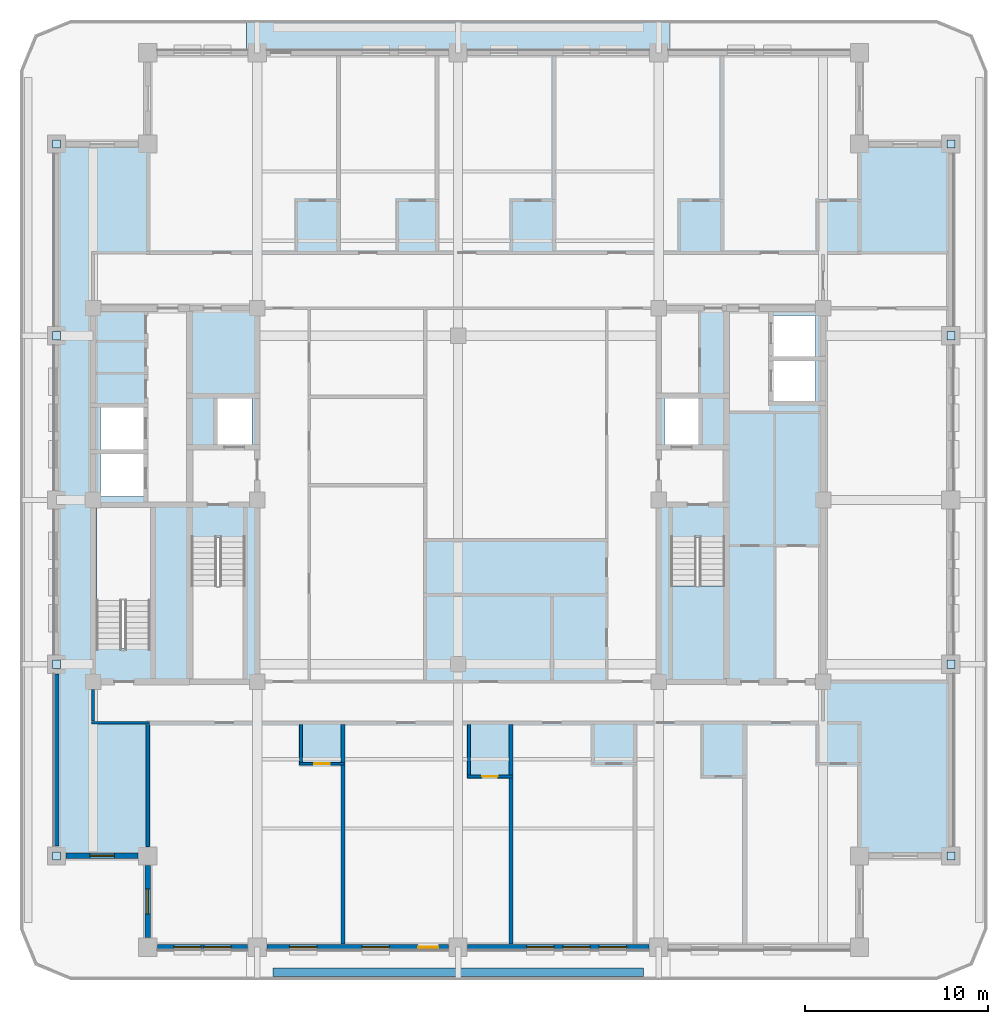
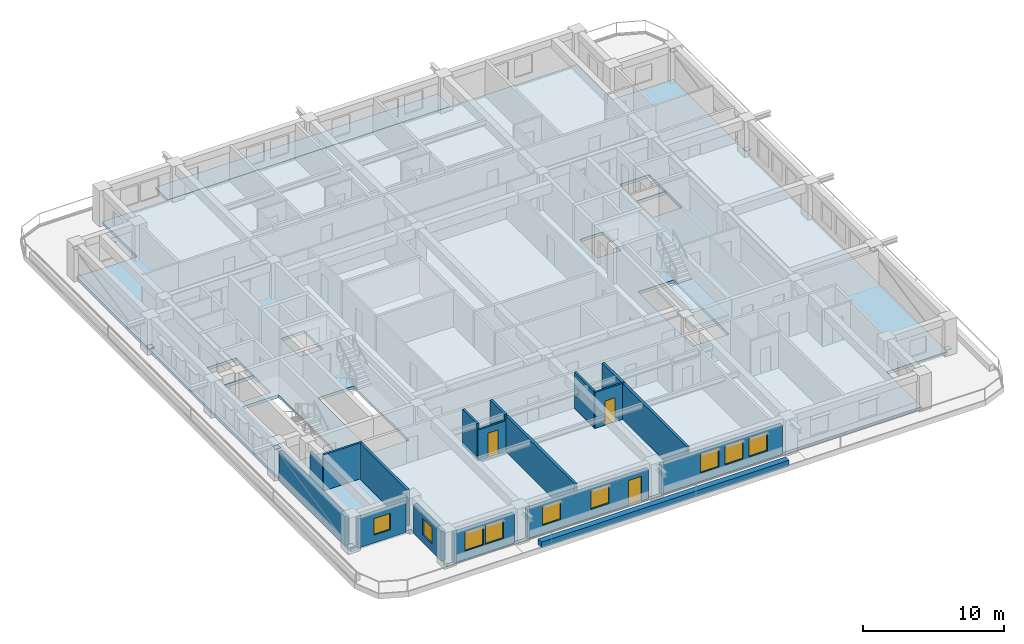
# One storey, part 2 of 15: 18 walls, 9 windows, 8 plates, 3 doors, 3 slabs, 12 openings, 1 element without a shape of its own.
"""IFC4 building model written with IfcOpenShell, lengths in metres."""

from ifc_helpers import new_model, si_unit, direction, frame, frame_2d, origin, origin_2d, place, context, subcontext, project, spatial, polyline, rectangle, outline, extrude, material, layer, layer_set, type_object, element, fill, aggregate, save


model = new_model("IFC4")

# Units and contexts
model_context = context("Model", 3, precision=1e-05, world=origin(), true_north=direction((0.0, 1.0)))
body_context = subcontext(model_context, "Body", "Model", "MODEL_VIEW")
ifc_project = project(units=[si_unit("LENGTHUNIT", "METRE"), si_unit("AREAUNIT", "SQUARE_METRE"), si_unit("VOLUMEUNIT", "CUBIC_METRE"), si_unit("PLANEANGLEUNIT", "RADIAN"), si_unit("MASSUNIT", "GRAM", prefix="KILO")], contexts=[model_context])

# Site, building, storey
site_placement = place(None, origin())
site = spatial("IfcSite", under=ifc_project, at=site_placement, CompositionType="ELEMENT")
building_placement = place(site_placement, origin())
building = spatial("IfcBuilding", under=site, at=building_placement, Name="Zulmaris Gate Convention Tower", CompositionType="ELEMENT")
storey_placement = place(building_placement, frame((0.0, 0.0, 172.85986328125)))
storey = spatial("IfcBuildingStorey", under=building, at=storey_placement, Name="L44", CompositionType="ELEMENT", Elevation=172.85986328125)

# Plates
ifc_material_1 = material(Name="Steel S460", Category="steel")
ifc_layer_1 = layer(ifc_material_1, 0.02490234375, Name="Steel S460")
ifc_layer_set_1 = layer_set([ifc_layer_1], Name="Steel S460")
plate_type = type_object("IfcPlateType", Name="NP-CAP-440", PredefinedType="USERDEFINED", material=ifc_layer_set_1)
for number, where, z_axis, x_axis, name in (
    (1, (-22.0, -19.5, 0.28759765625), (0.0, 0.0, 1.0), (1.0, 0.0, 0.0), "L44 Steel Node Plate PBR-L44-SW-W-CAP"),
    (2, (-22.0, -9.0, 2.492431640625), (0.0, 0.0, 1.0), (1.0, 0.0, 0.0), "L44 Steel Node Plate PBR-L44-SW-W-CAPB"),
    (3, (-22.0, 9.0, 0.28759765625), (0.0, 0.0, 1.0), (1.0, 0.0, 0.0), "L44 Steel Node Plate PBR-L44-NW-W-CAP"),
    (4, (-22.0, 19.5, 2.492431640625), (0.0, 0.0, 1.0), (1.0, 0.0, 0.0), "L44 Steel Node Plate PBR-L44-NW-W-CAPB"),
    (5, (27.0, -19.5, 0.28759765625), (0.0, 0.0, 1.0), (1.0, 0.0, 0.0), "L44 Steel Node Plate PBR-L44-SE-E-CAP"),
    (6, (27.0, -9.0, 2.492431640625), (0.0, 0.0, 1.0), (1.0, 0.0, 0.0), "L44 Steel Node Plate PBR-L44-SE-E-CAPB"),
    (7, (27.0, 9.0, 0.28759765625), (0.0, 0.0, 1.0), (1.0, 0.0, 0.0), "L44 Steel Node Plate PBR-L44-NE-E-CAP"),
    (8, (27.0, 19.5, 2.492431640625), (0.0, 0.0, 1.0), (1.0, 0.0, 0.0), "L44 Steel Node Plate PBR-L44-NE-E-CAPB"),
):
    element("IfcPlate", number, at=place(storey_placement, frame(where, z_axis=z_axis, x_axis=x_axis)), inside=storey, type_object=plate_type, Name=name, ObjectType="FLANGE PLATE", PredefinedType="USERDEFINED", context=body_context, shape_type="SweptSolid", body=[
        extrude(rectangle(XDim=0.43994140625, YDim=0.43994140625, at=origin_2d()), origin(), (0.0, 0.0, 1.0), 0.02490234375),
    ])

# Slabs
ifc_material_2 = material(Name="Precast concrete C50/60", Category="concrete")
ifc_layer_2 = layer(ifc_material_2, 0.260009765625, Name="Precast concrete C50/60")
ifc_layer_set_2 = layer_set([ifc_layer_2], Name="Precast concrete C50/60")
slab_type_1 = type_object("IfcSlabType", Name="SL-BAL-260", PredefinedType="FLOOR", material=ifc_layer_set_2)
slab_1_placement = place(storey_placement, frame((0.0, 0.0, -0.25)))
element("IfcSlab", 9, at=slab_1_placement, inside=storey, type_object=slab_type_1, Name="L44 North Tree-Balcony Planter Slab", PredefinedType="FLOOR", context=body_context, shape_type="SweptSolid", body=[
    extrude(outline(polyline([(11.597900390625, 26.300048828125), (11.597900390625, 24.5), (-11.597900390625, 24.5), (-11.597900390625, 26.300048828125), (11.597900390625, 26.300048828125)])), origin(), (0.0, 0.0, 1.0), 0.260009765625),
])
ifc_material_3 = material(Name="Concrete C50/60", Category="concrete")
ifc_layer_3 = layer(ifc_material_3, 0.25, Name="Concrete C50/60")
ifc_layer_set_3 = layer_set([ifc_layer_3], Name="Concrete C50/60")
slab_type_2 = type_object("IfcSlabType", Name="SL-FLR-250", PredefinedType="FLOOR", material=ifc_layer_set_3)
slab_2_placement = place(storey_placement, frame((0.0, 0.0, -0.25)))
element("IfcSlab", 10, at=slab_2_placement, inside=storey, type_object=slab_type_2, Name="L44 Shifted Notched-Square Structural Floor Slab", PredefinedType="FLOOR", context=body_context, shape_type="SweptSolid", body=[
    extrude(outline(polyline([(-17.0, -24.5), (22.0, -24.5), (22.0, -19.5), (27.0, -19.5), (27.0, 19.5), (22.0, 19.5), (22.0, 24.5), (-17.0, 24.5), (-17.0, 19.5), (-22.0, 19.5), (-22.0, -19.5), (-17.0, -19.5), (-17.0, -24.5)]), holes=[polyline([(-14.6201171875, -2.080078125), (-14.6201171875, -9.85009765625), (-11.659912109375, -9.85009765625), (-11.659912109375, -2.080078125), (-14.6201171875, -2.080078125)]), polyline([(11.659912109375, -2.080078125), (11.659912109375, -9.85009765625), (14.6201171875, -9.85009765625), (14.6201171875, -2.080078125), (11.659912109375, -2.080078125)]), polyline([(-16.860107421875, -8.1201171875), (-16.860107421875, -0.35009765625), (-19.820068359375, -0.35009765625), (-19.820068359375, -8.1201171875), (-16.860107421875, -8.1201171875)]), polyline([(-13.199951171875, 3.0), (-11.300048828125, 3.0), (-11.300048828125, 5.60009765625), (-13.199951171875, 5.60009765625), (-13.199951171875, 3.0)]), polyline([(11.300048828125, 3.0), (13.199951171875, 3.0), (13.199951171875, 5.60009765625), (11.300048828125, 5.60009765625), (11.300048828125, 3.0)]), polyline([(17.199951171875, 5.39990234375), (19.60009765625, 5.39990234375), (19.60009765625, 7.699951171875), (17.199951171875, 7.699951171875), (17.199951171875, 5.39990234375)]), polyline([(17.199951171875, 7.800048828125), (19.60009765625, 7.800048828125), (19.60009765625, 10.10009765625), (17.199951171875, 10.10009765625), (17.199951171875, 7.800048828125)]), polyline([(-19.60009765625, 0.199951171875), (-17.199951171875, 0.199951171875), (-17.199951171875, 2.60009765625), (-19.60009765625, 2.60009765625), (-19.60009765625, 0.199951171875)]), polyline([(-19.60009765625, 2.699951171875), (-17.199951171875, 2.699951171875), (-17.199951171875, 5.10009765625), (-19.60009765625, 5.10009765625), (-19.60009765625, 2.699951171875)])]), origin(), (0.0, 0.0, 1.0), 0.25),
])

# Stair, slab
ifc_material_4 = material(Name="Concrete C45/55", Category="concrete")
stair_type = type_object("IfcStairType", Name="ST-CORE-DOGLEG", PredefinedType="HALF_TURN_STAIR", material=ifc_material_4)
stair_placement = place(storey_placement, origin())
stair = element("IfcStair", 11, at=stair_placement, inside=storey, type_object=stair_type, Name="L44 Core Exit Stair ST-2", PredefinedType="HALF_TURN_STAIR")
ifc_layer_4 = layer(ifc_material_4, 0.199951171875, Name="Concrete C45/55")
ifc_layer_set_4 = layer_set([ifc_layer_4], Name="Concrete C45/55")
slab_type_3 = type_object("IfcSlabType", Name="SL-LND-200", PredefinedType="LANDING", material=ifc_layer_set_4)
slab_3_placement = place(storey_placement, frame((0.0, 0.0, 1.5)))
slab_3 = element("IfcSlab", 12, at=slab_3_placement, type_object=slab_type_3, Name="ST-2 landing 1", PredefinedType="LANDING", context=body_context, shape_type="SweptSolid", body=[
    extrude(outline(polyline([(11.659912109375, -4.699951171875), (11.659912109375, -9.85009765625), (14.6201171875, -9.85009765625), (14.6201171875, -4.699951171875), (11.659912109375, -4.699951171875)])), origin(), (0.0, 0.0, 1.0), 0.199951171875),
])
aggregate(stair, [slab_3])

# Wall, opening, door
ifc_material_5 = material(Name="Gypsum Metal Stud Partition")
ifc_layer_5 = layer(ifc_material_5, 0.14990234375, Name="Gypsum Metal Stud Partition")
ifc_layer_set_5 = layer_set([ifc_layer_5], Name="Gypsum Metal Stud Partition")
wall_type_1 = type_object("IfcWallType", Name="PART-150", PredefinedType="PARTITIONING", material=ifc_layer_set_5)
wall_1_placement = place(storey_placement, frame((0.52490234375, -15.14990234375, 0.0), z_axis=(0.0, 0.0, 1.0), x_axis=(1.0, 0.0, 0.0)))
wall_1 = element("IfcWall", 13, at=wall_1_placement, inside=storey, type_object=wall_type_1, Name="WL-L44-019", PredefinedType="PARTITIONING", context=body_context, shape_type="SweptSolid", body=[
    extrude(rectangle(XDim=2.47509765625, YDim=0.14990234375, at=frame_2d((1.237548828125, 0.0))), origin(), (0.0, 0.0, 1.0), 3.125),
])
opening_1_placement = place(wall_1_placement, frame((0.800048828125, 0.0, 0.0)))
opening_1 = element("IfcOpeningElement", 14, at=opening_1_placement, cuts=wall_1, Name="Opening D-17", PredefinedType="OPENING", context=body_context, shape_type="SweptSolid", body=[
    extrude(rectangle(XDim=0.85009765625, YDim=2.10009765625, at=frame_2d((0.425048828125, 1.050048828125))), frame((0.0, 0.0849609375, 0.0), z_axis=(0.0, -1.0, 0.0), x_axis=(1.0, 0.0, 0.0)), (0.0, 0.0, 1.0), 0.169921875),
])
ifc_material_6 = material(Name="Moisture-Resistant Hardwood Timber", Category="wood")
door_type_1 = type_object("IfcDoorType", Name="DR-850", OperationType="NOTDEFINED", PredefinedType="DOOR", material=ifc_material_6)
door_1_placement = place(opening_1_placement, origin())
door_1 = element("IfcDoor", 15, at=door_1_placement, inside=storey, type_object=door_type_1, Name="L44 En-Suite Door 41", OperationType="SINGLE_SWING_RIGHT", OverallHeight=2.10009765625, OverallWidth=0.85009765625, PredefinedType="DOOR", context=body_context, shape_type="SweptSolid", body=[
    extrude(rectangle(XDim=0.85009765625, YDim=2.10009765625, at=frame_2d((0.425048828125, 1.050048828125))), frame((0.0, 0.02490234375, 0.0), z_axis=(0.0, -1.0, 0.0), x_axis=(1.0, 0.0, 0.0)), (0.0, 0.0, 1.0), 0.050048828125),
])
fill(opening_1, door_1)

wall_2_placement = place(storey_placement, frame((-8.675048828125, -14.449951171875, 0.0), z_axis=(0.0, 0.0, 1.0), x_axis=(1.0, 0.0, 0.0)))
wall_2 = element("IfcWall", 16, at=wall_2_placement, inside=storey, type_object=wall_type_1, Name="WL-L44-021", PredefinedType="PARTITIONING", context=body_context, shape_type="SweptSolid", body=[
    extrude(rectangle(XDim=2.47509765625, YDim=0.14990234375, at=frame_2d((1.237548828125, 0.0))), origin(), (0.0, 0.0, 1.0), 2.6650390625),
])
opening_2_placement = place(wall_2_placement, frame((0.800048828125, 0.0, 0.0)))
opening_2 = element("IfcOpeningElement", 17, at=opening_2_placement, cuts=wall_2, Name="Opening D-17", PredefinedType="OPENING", context=body_context, shape_type="SweptSolid", body=[
    extrude(rectangle(XDim=0.85009765625, YDim=2.10009765625, at=frame_2d((0.425048828125, 1.050048828125))), frame((0.0, 0.0849609375, 0.0), z_axis=(0.0, -1.0, 0.0), x_axis=(1.0, 0.0, 0.0)), (0.0, 0.0, 1.0), 0.169921875),
])
door_2_placement = place(opening_2_placement, origin())
door_2 = element("IfcDoor", 18, at=door_2_placement, inside=storey, type_object=door_type_1, Name="L44 En-Suite Door 39", OperationType="SINGLE_SWING_RIGHT", OverallHeight=2.10009765625, OverallWidth=0.85009765625, PredefinedType="DOOR", context=body_context, shape_type="SweptSolid", body=[
    extrude(rectangle(XDim=0.85009765625, YDim=2.10009765625, at=frame_2d((0.425048828125, 1.050048828125))), frame((0.0, 0.02490234375, 0.0), z_axis=(0.0, -1.0, 0.0), x_axis=(1.0, 0.0, 0.0)), (0.0, 0.0, 1.0), 0.050048828125),
])
fill(opening_2, door_2)

# Walls
wall_3_placement = place(storey_placement, frame((-20.074951171875, -12.199951171875, 0.0), z_axis=(0.0, 0.0, 1.0), x_axis=(1.0, 0.0, 0.0)))
element("IfcWall", 19, at=wall_3_placement, inside=storey, type_object=wall_type_1, Name="WL-L44-024", PredefinedType="PARTITIONING", context=body_context, shape_type="SweptSolid", body=[
    extrude(rectangle(XDim=3.175048828125, YDim=0.14990234375, at=frame_2d((1.58740234375, 0.0))), origin(), (0.0, 0.0, 1.0), 3.125),
])
wall_4_placement = place(storey_placement, frame((-20.0, -12.1220703125, 0.0), z_axis=(0.0, 0.0, 1.0), x_axis=(0.0, 1.0, 0.0)))
element("IfcWall", 20, at=wall_4_placement, inside=storey, type_object=wall_type_1, Name="WL-L44-078", PredefinedType="PARTITIONING", context=body_context, shape_type="SweptSolid", body=[
    extrude(rectangle(XDim=1.740966796875, YDim=0.14990234375, at=frame_2d((0.87060546875, 0.0))), origin(), (0.0, 0.0, 1.0), 2.31689453125),
])
wall_5_placement = place(storey_placement, frame((-8.60009765625, -14.3720703125, 0.0), z_axis=(0.0, 0.0, 1.0), x_axis=(0.0, 1.0, 0.0)))
element("IfcWall", 21, at=wall_5_placement, inside=storey, type_object=wall_type_1, Name="WL-L44-086", PredefinedType="PARTITIONING", context=body_context, shape_type="SweptSolid", body=[
    extrude(rectangle(XDim=2.069091796875, YDim=0.14990234375, at=frame_2d((1.03466796875, 0.0))), origin(), (0.0, 0.0, 1.0), 3.125),
])
wall_6_placement = place(storey_placement, frame((0.60009765625, -15.072021484375, 0.0), z_axis=(0.0, 0.0, 1.0), x_axis=(0.0, 1.0, 0.0)))
element("IfcWall", 22, at=wall_6_placement, inside=storey, type_object=wall_type_1, Name="WL-L44-102", PredefinedType="PARTITIONING", context=body_context, shape_type="SweptSolid", body=[
    extrude(rectangle(XDim=2.76904296875, YDim=0.14990234375, at=frame_2d((1.384521484375, 0.0))), origin(), (0.0, 0.0, 1.0), 3.125),
])
ifc_material_7 = material(Name="Autoclaved Aerated Concrete Block and Plasterboard", Category="concrete")
ifc_layer_6 = layer(ifc_material_7, 0.199951171875, Name="Autoclaved Aerated Concrete Block and Plasterboard")
ifc_layer_set_6 = layer_set([ifc_layer_6], Name="Autoclaved Aerated Concrete Block and Plasterboard")
wall_type_2 = type_object("IfcWallType", Name="PART-200", PredefinedType="PARTITIONING", material=ifc_layer_set_6)
wall_7_placement = place(storey_placement, frame((-17.0, -18.993896484375, 0.0), z_axis=(0.0, 0.0, 1.0), x_axis=(0.0, 1.0, 0.0)))
element("IfcWall", 23, at=wall_7_placement, inside=storey, type_object=wall_type_2, Name="WL-L44-083", PredefinedType="PARTITIONING", context=body_context, shape_type="SweptSolid", body=[
    extrude(rectangle(XDim=6.69091796875, YDim=0.199951171875, at=frame_2d((3.345458984375, 0.0))), origin(), (0.0, 0.0, 1.0), 3.125),
])
wall_8_placement = place(storey_placement, frame((-6.300048828125, -24.3349609375, 0.0), z_axis=(0.0, 0.0, 1.0), x_axis=(0.0, 1.0, 0.0)))
element("IfcWall", 24, at=wall_8_placement, inside=storey, type_object=wall_type_2, Name="WL-L44-092", PredefinedType="PARTITIONING", context=body_context, shape_type="SweptSolid", body=[
    extrude(rectangle(XDim=9.806884765625, YDim=0.199951171875, at=frame_2d((4.9033203125, 0.0))), origin(), (0.0, 0.0, 1.0), 3.125),
])
wall_9_placement = place(storey_placement, frame((-6.300048828125, -14.3720703125, 0.0), z_axis=(0.0, 0.0, 1.0), x_axis=(0.0, 1.0, 0.0)))
element("IfcWall", 25, at=wall_9_placement, inside=storey, type_object=wall_type_2, Name="WL-L44-093", PredefinedType="PARTITIONING", context=body_context, shape_type="SweptSolid", body=[
    extrude(rectangle(XDim=2.069091796875, YDim=0.199951171875, at=frame_2d((1.03466796875, 0.0))), origin(), (0.0, 0.0, 1.0), 3.125),
])
wall_10_placement = place(storey_placement, frame((2.89990234375, -24.3349609375, 0.0), z_axis=(0.0, 0.0, 1.0), x_axis=(0.0, 1.0, 0.0)))
element("IfcWall", 26, at=wall_10_placement, inside=storey, type_object=wall_type_2, Name="WL-L44-103", PredefinedType="PARTITIONING", context=body_context, shape_type="SweptSolid", body=[
    extrude(rectangle(XDim=9.10693359375, YDim=0.199951171875, at=frame_2d((4.553466796875, 0.0))), origin(), (0.0, 0.0, 1.0), 3.125),
])
wall_11_placement = place(storey_placement, frame((2.89990234375, -15.072021484375, 0.0), z_axis=(0.0, 0.0, 1.0), x_axis=(0.0, 1.0, 0.0)))
element("IfcWall", 27, at=wall_11_placement, inside=storey, type_object=wall_type_2, Name="WL-L44-104", PredefinedType="PARTITIONING", context=body_context, shape_type="SweptSolid", body=[
    extrude(rectangle(XDim=2.76904296875, YDim=0.199951171875, at=frame_2d((1.384521484375, 0.0))), origin(), (0.0, 0.0, 1.0), 3.125),
])
ifc_material_8 = material(Name="Botanical Green Glazed Precast Concrete C40/50", Category="concrete")
ifc_layer_7 = layer(ifc_material_8, 0.419921875, Name="Botanical Green Glazed Precast Concrete C40/50")
ifc_layer_set_7 = layer_set([ifc_layer_7], Name="Botanical Green Glazed Precast Concrete C40/50")
wall_type_3 = type_object("IfcWallType", Name="PLANTER-CURB-200", PredefinedType="PARAPET", material=ifc_layer_set_7)
wall_12_placement = place(storey_placement, frame((-10.14990234375, -25.8798828125, -0.0400390625), z_axis=(0.0, 0.0, 1.0), x_axis=(1.0, 0.0, 0.0)))
element("IfcWall", 28, at=wall_12_placement, inside=storey, type_object=wall_type_3, Name="L44 Full-Length Balcony Tree Planter Trough", PredefinedType="PARAPET", context=body_context, shape_type="SweptSolid", body=[
    extrude(rectangle(XDim=20.2998046875, YDim=0.47998046875, at=frame_2d((10.14990234375, 0.0))), origin(), (0.0, 0.0, 1.0), 0.52001953125),
])

# Wall, opening, window
ifc_material_9 = material(Name="Precast concrete C40/50", Category="concrete")
ifc_layer_8 = layer(ifc_material_9, 0.300048828125, Name="Precast concrete C40/50")
ifc_layer_set_8 = layer_set([ifc_layer_8], Name="Precast concrete C40/50")
wall_type_4 = type_object("IfcWallType", Name="PRECAST-PIER-300", PredefinedType="STANDARD", material=ifc_layer_set_8)
wall_13_placement = place(storey_placement, frame((-21.469970703125, -19.5, 0.0), z_axis=(0.0, 0.0, 1.0), x_axis=(1.0, 0.0, 0.0)))
wall_13 = element("IfcWall", 29, at=wall_13_placement, inside=storey, type_object=wall_type_4, Name="EW-L44-NOTCH-SW1_0", PredefinedType="STANDARD", context=body_context, shape_type="SweptSolid", body=[
    extrude(rectangle(XDim=3.93994140625, YDim=0.300048828125, at=frame_2d((1.969970703125, 0.0))), origin(), (0.0, 0.0, 1.0), 2.516845703125),
])
opening_3_placement = place(wall_13_placement, frame((1.294921875, 0.0, 0.679931640625)))
opening_3 = element("IfcOpeningElement", 30, at=opening_3_placement, cuts=wall_13, Name="Opening W-10", PredefinedType="OPENING", context=body_context, shape_type="SweptSolid", body=[
    extrude(rectangle(XDim=1.35009765625, YDim=1.419921875, at=frame_2d((0.675048828125, 0.7099609375))), frame((0.0, 0.16015625, 0.0), z_axis=(0.0, -1.0, 0.0), x_axis=(1.0, 0.0, 0.0)), (0.0, 0.0, 1.0), 0.320068359375),
])
ifc_material_10 = material(Name="Low-E Laminated Double Glazing in Aluminium Frame", Category="aluminium")
window_type_1 = type_object("IfcWindowType", Name="WIN-1350x2000", PartitioningType="SINGLE_PANEL", PredefinedType="WINDOW", material=ifc_material_10)
window_1_placement = place(opening_3_placement, origin())
window_1 = element("IfcWindow", 31, at=window_1_placement, inside=storey, type_object=window_type_1, Name="WN-EW-L44-NOTCH-SW1_0", OverallHeight=1.419921875, OverallWidth=1.35009765625, PartitioningType="SINGLE_PANEL", PredefinedType="WINDOW", context=body_context, shape_type="SweptSolid", body=[
    extrude(rectangle(XDim=1.35009765625, YDim=1.419921875, at=frame_2d((0.675048828125, 0.7099609375))), frame((0.0, 0.030029296875, 0.0), z_axis=(0.0, -1.0, 0.0), x_axis=(1.0, 0.0, 0.0)), (0.0, 0.0, 1.0), 0.06005859375),
])
fill(opening_3, window_1)

wall_14_placement = place(storey_placement, frame((-17.0, -20.030029296875, 0.0), z_axis=(0.0, 0.0, 1.0), x_axis=(0.0, -1.0, 0.0)))
wall_14 = element("IfcWall", 32, at=wall_14_placement, inside=storey, type_object=wall_type_4, Name="EW-L44-NOTCH-SW2_0", PredefinedType="STANDARD", context=body_context, shape_type="SweptSolid", body=[
    extrude(rectangle(XDim=3.93994140625, YDim=0.300048828125, at=frame_2d((1.969970703125, 0.0))), origin(), (0.0, 0.0, 1.0), 2.516845703125),
])
opening_4_placement = place(wall_14_placement, frame((1.294921875, 0.0, 0.679931640625)))
opening_4 = element("IfcOpeningElement", 33, at=opening_4_placement, cuts=wall_14, Name="Opening W-10", PredefinedType="OPENING", context=body_context, shape_type="SweptSolid", body=[
    extrude(rectangle(XDim=1.35009765625, YDim=1.419921875, at=frame_2d((0.675048828125, 0.7099609375))), frame((0.0, 0.16015625, 0.0), z_axis=(0.0, -1.0, 0.0), x_axis=(1.0, 0.0, 0.0)), (0.0, 0.0, 1.0), 0.320068359375),
])
window_2_placement = place(opening_4_placement, origin())
window_2 = element("IfcWindow", 34, at=window_2_placement, inside=storey, type_object=window_type_1, Name="WN-EW-L44-NOTCH-SW2_0", OverallHeight=1.419921875, OverallWidth=1.35009765625, PartitioningType="SINGLE_PANEL", PredefinedType="WINDOW", context=body_context, shape_type="SweptSolid", body=[
    extrude(rectangle(XDim=1.35009765625, YDim=1.419921875, at=frame_2d((0.675048828125, 0.7099609375))), frame((0.0, 0.030029296875, 0.0), z_axis=(0.0, -1.0, 0.0), x_axis=(1.0, 0.0, 0.0)), (0.0, 0.0, 1.0), 0.06005859375),
])
fill(opening_4, window_2)

# Wall, openings, windows
wall_15_placement = place(storey_placement, frame((-16.469970703125, -24.5, 0.0), z_axis=(0.0, 0.0, 1.0), x_axis=(1.0, 0.0, 0.0)))
wall_15 = element("IfcWall", 35, at=wall_15_placement, inside=storey, type_object=wall_type_4, Name="EW-L44-S-0_0", PredefinedType="STANDARD", context=body_context, shape_type="SweptSolid", body=[
    extrude(rectangle(XDim=4.93994140625, YDim=0.300048828125, at=frame_2d((2.469970703125, 0.0))), origin(), (0.0, 0.0, 1.0), 2.516845703125),
])
opening_5_placement = place(wall_15_placement, frame((0.89697265625, 0.0, 0.719970703125)))
opening_5 = element("IfcOpeningElement", 36, at=opening_5_placement, cuts=wall_15, Name="Opening W-03", PredefinedType="OPENING", context=body_context, shape_type="SweptSolid", body=[
    extrude(rectangle(XDim=1.5, YDim=1.60009765625, at=frame_2d((0.75, 0.800048828125))), frame((0.0, 0.16015625, 0.0), z_axis=(0.0, -1.0, 0.0), x_axis=(1.0, 0.0, 0.0)), (0.0, 0.0, 1.0), 0.320068359375),
])
opening_6_placement = place(wall_15_placement, frame((2.54296875, 0.0, 0.719970703125)))
opening_6 = element("IfcOpeningElement", 37, at=opening_6_placement, cuts=wall_15, Name="Opening W-03", PredefinedType="OPENING", context=body_context, shape_type="SweptSolid", body=[
    extrude(rectangle(XDim=1.5, YDim=1.60009765625, at=frame_2d((0.75, 0.800048828125))), frame((0.0, 0.16015625, 0.0), z_axis=(0.0, -1.0, 0.0), x_axis=(1.0, 0.0, 0.0)), (0.0, 0.0, 1.0), 0.320068359375),
])
window_type_2 = type_object("IfcWindowType", Name="WIN-1500x2100", PartitioningType="SINGLE_PANEL", PredefinedType="WINDOW", material=ifc_material_10)
window_3_placement = place(opening_5_placement, origin())
window_3 = element("IfcWindow", 38, at=window_3_placement, inside=storey, type_object=window_type_2, Name="WN-EW-L44-S-0_0-1", OverallHeight=1.60009765625, OverallWidth=1.5, PartitioningType="SINGLE_PANEL", PredefinedType="WINDOW", context=body_context, shape_type="SweptSolid", body=[
    extrude(rectangle(XDim=1.5, YDim=1.60009765625, at=frame_2d((0.75, 0.800048828125))), frame((0.0, 0.030029296875, 0.0), z_axis=(0.0, -1.0, 0.0), x_axis=(1.0, 0.0, 0.0)), (0.0, 0.0, 1.0), 0.06005859375),
])
fill(opening_5, window_3)
window_4_placement = place(opening_6_placement, origin())
window_4 = element("IfcWindow", 39, at=window_4_placement, inside=storey, type_object=window_type_2, Name="WN-EW-L44-S-0_0-2", OverallHeight=1.60009765625, OverallWidth=1.5, PartitioningType="SINGLE_PANEL", PredefinedType="WINDOW", context=body_context, shape_type="SweptSolid", body=[
    extrude(rectangle(XDim=1.5, YDim=1.60009765625, at=frame_2d((0.75, 0.800048828125))), frame((0.0, 0.030029296875, 0.0), z_axis=(0.0, -1.0, 0.0), x_axis=(1.0, 0.0, 0.0)), (0.0, 0.0, 1.0), 0.06005859375),
])
fill(opening_6, window_4)

# Wall, openings, door, windows
wall_16_placement = place(storey_placement, frame((-10.469970703125, -24.5, 0.0), z_axis=(0.0, 0.0, 1.0), x_axis=(1.0, 0.0, 0.0)))
wall_16 = element("IfcWall", 40, at=wall_16_placement, inside=storey, type_object=wall_type_4, Name="EW-L44-S-1_0", PredefinedType="STANDARD", context=body_context, shape_type="SweptSolid", body=[
    extrude(rectangle(XDim=9.93994140625, YDim=0.300048828125, at=frame_2d((4.969970703125, 0.0))), origin(), (0.0, 0.0, 1.0), 2.516845703125),
])
opening_7_placement = place(wall_16_placement, frame((8.2880859375, 0.0, 0.0)))
opening_7 = element("IfcOpeningElement", 41, at=opening_7_placement, cuts=wall_16, Name="Opening D-04", PredefinedType="OPENING", context=body_context, shape_type="SweptSolid", body=[
    extrude(rectangle(XDim=1.10009765625, YDim=2.14990234375, at=frame_2d((0.550048828125, 1.074951171875))), frame((0.0, 0.16015625, 0.0), z_axis=(0.0, -1.0, 0.0), x_axis=(1.0, 0.0, 0.0)), (0.0, 0.0, 1.0), 0.320068359375),
])
opening_8_placement = place(wall_16_placement, frame((1.238037109375, 0.0, 0.719970703125)))
opening_8 = element("IfcOpeningElement", 42, at=opening_8_placement, cuts=wall_16, Name="Opening W-03", PredefinedType="OPENING", context=body_context, shape_type="SweptSolid", body=[
    extrude(rectangle(XDim=1.5, YDim=1.60009765625, at=frame_2d((0.75, 0.800048828125))), frame((0.0, 0.16015625, 0.0), z_axis=(0.0, -1.0, 0.0), x_axis=(1.0, 0.0, 0.0)), (0.0, 0.0, 1.0), 0.320068359375),
])
opening_9_placement = place(wall_16_placement, frame((5.214111328125, 0.0, 0.719970703125)))
opening_9 = element("IfcOpeningElement", 43, at=opening_9_placement, cuts=wall_16, Name="Opening W-03", PredefinedType="OPENING", context=body_context, shape_type="SweptSolid", body=[
    extrude(rectangle(XDim=1.5, YDim=1.60009765625, at=frame_2d((0.75, 0.800048828125))), frame((0.0, 0.16015625, 0.0), z_axis=(0.0, -1.0, 0.0), x_axis=(1.0, 0.0, 0.0)), (0.0, 0.0, 1.0), 0.320068359375),
])
ifc_material_11 = material(Name="Anodised Aluminium and Laminated Glass", Category="aluminium")
door_type_2 = type_object("IfcDoorType", Name="ED-1100", OperationType="SINGLE_SWING_RIGHT", PredefinedType="DOOR", material=ifc_material_11)
door_3_placement = place(opening_7_placement, origin())
door_3 = element("IfcDoor", 44, at=door_3_placement, inside=storey, type_object=door_type_2, Name="L44 S Planted Terrace Door", OperationType="SINGLE_SWING_RIGHT", OverallHeight=2.14990234375, OverallWidth=1.10009765625, PredefinedType="DOOR", context=body_context, shape_type="SweptSolid", body=[
    extrude(rectangle(XDim=1.10009765625, YDim=2.14990234375, at=frame_2d((0.550048828125, 1.074951171875))), frame((0.0, 0.02490234375, 0.0), z_axis=(0.0, -1.0, 0.0), x_axis=(1.0, 0.0, 0.0)), (0.0, 0.0, 1.0), 0.050048828125),
])
fill(opening_7, door_3)
window_5_placement = place(opening_8_placement, origin())
window_5 = element("IfcWindow", 45, at=window_5_placement, inside=storey, type_object=window_type_2, Name="WN-EW-L44-S-1_0-1", OverallHeight=1.60009765625, OverallWidth=1.5, PartitioningType="SINGLE_PANEL", PredefinedType="WINDOW", context=body_context, shape_type="SweptSolid", body=[
    extrude(rectangle(XDim=1.5, YDim=1.60009765625, at=frame_2d((0.75, 0.800048828125))), frame((0.0, 0.030029296875, 0.0), z_axis=(0.0, -1.0, 0.0), x_axis=(1.0, 0.0, 0.0)), (0.0, 0.0, 1.0), 0.06005859375),
])
fill(opening_8, window_5)
window_6_placement = place(opening_9_placement, origin())
window_6 = element("IfcWindow", 46, at=window_6_placement, inside=storey, type_object=window_type_2, Name="WN-EW-L44-S-1_0-3", OverallHeight=1.60009765625, OverallWidth=1.5, PartitioningType="SINGLE_PANEL", PredefinedType="WINDOW", context=body_context, shape_type="SweptSolid", body=[
    extrude(rectangle(XDim=1.5, YDim=1.60009765625, at=frame_2d((0.75, 0.800048828125))), frame((0.0, 0.030029296875, 0.0), z_axis=(0.0, -1.0, 0.0), x_axis=(1.0, 0.0, 0.0)), (0.0, 0.0, 1.0), 0.06005859375),
])
fill(opening_9, window_6)

# Wall, openings, windows
wall_17_placement = place(storey_placement, frame((0.530029296875, -24.5, 0.0), z_axis=(0.0, 0.0, 1.0), x_axis=(1.0, 0.0, 0.0)))
wall_17 = element("IfcWall", 47, at=wall_17_placement, inside=storey, type_object=wall_type_4, Name="EW-L44-S-2_0", PredefinedType="STANDARD", context=body_context, shape_type="SweptSolid", body=[
    extrude(rectangle(XDim=9.93994140625, YDim=0.300048828125, at=frame_2d((4.969970703125, 0.0))), origin(), (0.0, 0.0, 1.0), 2.516845703125),
])
opening_10_placement = place(wall_17_placement, frame((3.22607421875, 0.0, 0.719970703125)))
opening_10 = element("IfcOpeningElement", 48, at=opening_10_placement, cuts=wall_17, Name="Opening W-03", PredefinedType="OPENING", context=body_context, shape_type="SweptSolid", body=[
    extrude(rectangle(XDim=1.5, YDim=1.60009765625, at=frame_2d((0.75, 0.800048828125))), frame((0.0, 0.16015625, 0.0), z_axis=(0.0, -1.0, 0.0), x_axis=(1.0, 0.0, 0.0)), (0.0, 0.0, 1.0), 0.320068359375),
])
opening_11_placement = place(wall_17_placement, frame((5.214111328125, 0.0, 0.719970703125)))
opening_11 = element("IfcOpeningElement", 49, at=opening_11_placement, cuts=wall_17, Name="Opening W-03", PredefinedType="OPENING", context=body_context, shape_type="SweptSolid", body=[
    extrude(rectangle(XDim=1.5, YDim=1.60009765625, at=frame_2d((0.75, 0.800048828125))), frame((0.0, 0.16015625, 0.0), z_axis=(0.0, -1.0, 0.0), x_axis=(1.0, 0.0, 0.0)), (0.0, 0.0, 1.0), 0.320068359375),
])
opening_12_placement = place(wall_17_placement, frame((7.201904296875, 0.0, 0.719970703125)))
opening_12 = element("IfcOpeningElement", 50, at=opening_12_placement, cuts=wall_17, Name="Opening W-03", PredefinedType="OPENING", context=body_context, shape_type="SweptSolid", body=[
    extrude(rectangle(XDim=1.5, YDim=1.60009765625, at=frame_2d((0.75, 0.800048828125))), frame((0.0, 0.16015625, 0.0), z_axis=(0.0, -1.0, 0.0), x_axis=(1.0, 0.0, 0.0)), (0.0, 0.0, 1.0), 0.320068359375),
])
window_7_placement = place(opening_10_placement, origin())
window_7 = element("IfcWindow", 51, at=window_7_placement, inside=storey, type_object=window_type_2, Name="WN-EW-L44-S-2_0-2", OverallHeight=1.60009765625, OverallWidth=1.5, PartitioningType="SINGLE_PANEL", PredefinedType="WINDOW", context=body_context, shape_type="SweptSolid", body=[
    extrude(rectangle(XDim=1.5, YDim=1.60009765625, at=frame_2d((0.75, 0.800048828125))), frame((0.0, 0.030029296875, 0.0), z_axis=(0.0, -1.0, 0.0), x_axis=(1.0, 0.0, 0.0)), (0.0, 0.0, 1.0), 0.06005859375),
])
fill(opening_10, window_7)
window_8_placement = place(opening_11_placement, origin())
window_8 = element("IfcWindow", 52, at=window_8_placement, inside=storey, type_object=window_type_2, Name="WN-EW-L44-S-2_0-3", OverallHeight=1.60009765625, OverallWidth=1.5, PartitioningType="SINGLE_PANEL", PredefinedType="WINDOW", context=body_context, shape_type="SweptSolid", body=[
    extrude(rectangle(XDim=1.5, YDim=1.60009765625, at=frame_2d((0.75, 0.800048828125))), frame((0.0, 0.030029296875, 0.0), z_axis=(0.0, -1.0, 0.0), x_axis=(1.0, 0.0, 0.0)), (0.0, 0.0, 1.0), 0.06005859375),
])
fill(opening_11, window_8)
window_9_placement = place(opening_12_placement, origin())
window_9 = element("IfcWindow", 53, at=window_9_placement, inside=storey, type_object=window_type_2, Name="WN-EW-L44-S-2_0-4", OverallHeight=1.60009765625, OverallWidth=1.5, PartitioningType="SINGLE_PANEL", PredefinedType="WINDOW", context=body_context, shape_type="SweptSolid", body=[
    extrude(rectangle(XDim=1.5, YDim=1.60009765625, at=frame_2d((0.75, 0.800048828125))), frame((0.0, 0.030029296875, 0.0), z_axis=(0.0, -1.0, 0.0), x_axis=(1.0, 0.0, 0.0)), (0.0, 0.0, 1.0), 0.06005859375),
])
fill(opening_12, window_9)

# Wall
wall_18_placement = place(storey_placement, frame((-22.0, -9.530029296875, 0.0), z_axis=(0.0, 0.0, 1.0), x_axis=(0.0, -1.0, 0.0)))
element("IfcWall", 54, at=wall_18_placement, inside=storey, type_object=wall_type_4, Name="EW-L44-W-0_0", PredefinedType="STANDARD", context=body_context, shape_type="SweptSolid", body=[
    extrude(rectangle(XDim=9.43994140625, YDim=0.300048828125, at=frame_2d((4.719970703125, 0.0))), origin(), (0.0, 0.0, 1.0), 2.516845703125),
])

save(model, "model.ifc")
